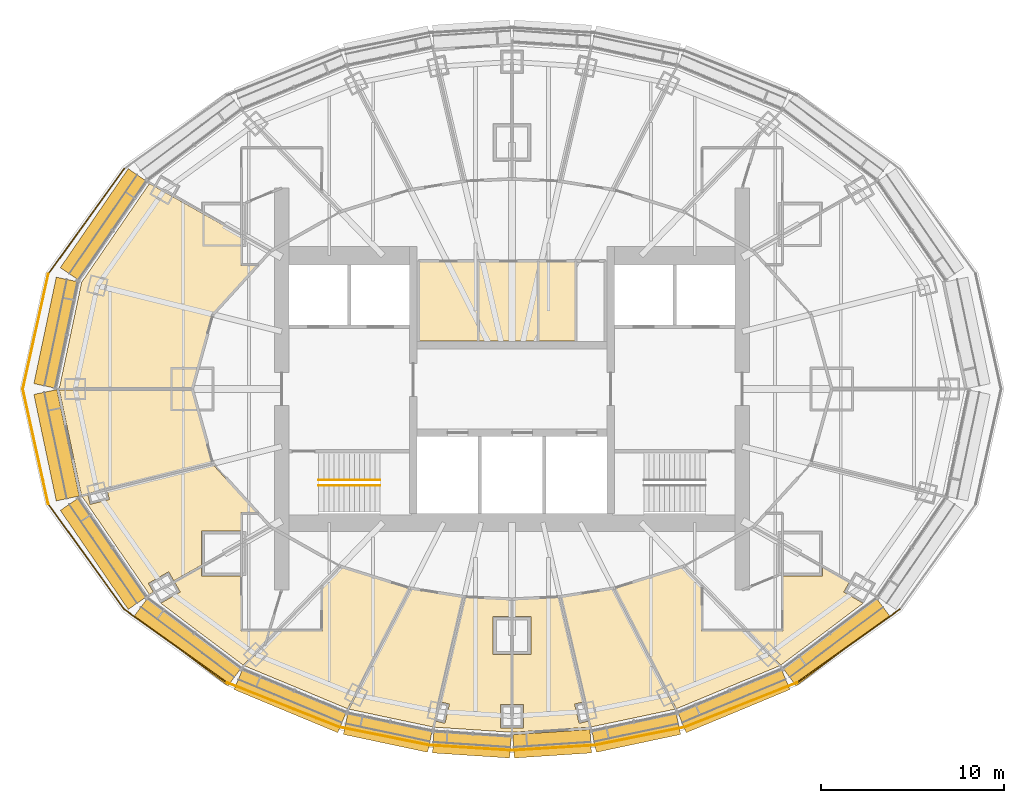
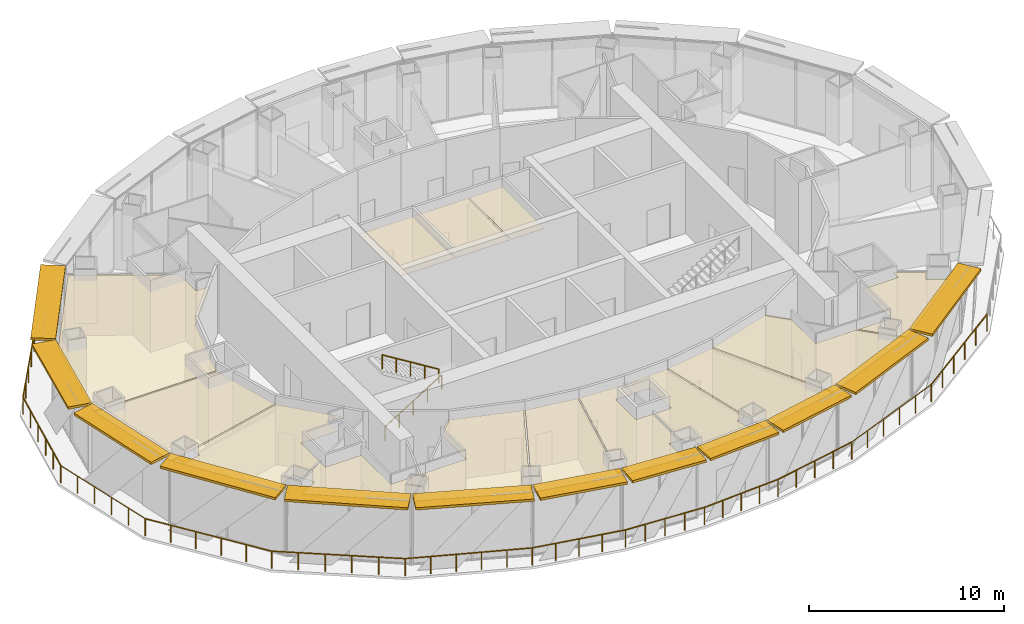
# One storey, part 16 of 17: 14 coverings, 14 railings, 12 shading devices.
"""IFC4 building model written with IfcOpenShell, lengths in metres."""

from ifc_helpers import new_model, si_unit, direction, frame, origin, origin_2d, place, context, subcontext, project, spatial, polyline, rectangle, circle, outline, extrude, material, layer, layer_set, type_object, element, save


model = new_model("IFC4")

# Units and contexts
model_context = context("Model", 3, precision=1e-05, world=origin(), true_north=direction((0.0, 1.0)))
body_context = subcontext(model_context, "Body", "Model", "MODEL_VIEW")
ifc_project = project(units=[si_unit("LENGTHUNIT", "METRE"), si_unit("AREAUNIT", "SQUARE_METRE"), si_unit("VOLUMEUNIT", "CUBIC_METRE"), si_unit("PLANEANGLEUNIT", "RADIAN"), si_unit("MASSUNIT", "GRAM", prefix="KILO")], contexts=[model_context])

# Site, building, storey
site_placement = place(None, origin())
site = spatial("IfcSite", under=ifc_project, at=site_placement, CompositionType="ELEMENT")
building_placement = place(site_placement, origin())
building = spatial("IfcBuilding", under=site, at=building_placement, Name="Lantaw Convention Tower", CompositionType="ELEMENT")
storey_placement = place(building_placement, frame((0.0, 0.0, 270.39990234375)))
storey = spatial("IfcBuildingStorey", under=building, at=storey_placement, Name="L63", CompositionType="ELEMENT", Elevation=270.39990234375)

# Railings
ifc_material_1 = material(Name="Stainless steel", Category="steel")
railing_type_1 = type_object("IfcRailingType", Name="Stair handrail", PredefinedType="HANDRAIL", material=ifc_material_1)
railing_1_placement = place(storey_placement, frame((-10.580078125, -5.280029296875, 0.173095703125)))
element("IfcRailing", 1, at=railing_1_placement, inside=storey, type_object=railing_type_1, Name="Stair handrail S1", PredefinedType="HANDRAIL", context=body_context, shape_type="SweptSolid", body=[
    extrude(circle(Radius=0.02392578125, at=origin_2d()), frame((0.0, 0.0, 0.8759765625), z_axis=(0.850623216509, 0.0, 0.525775754039), x_axis=(0.0, 1.0, 0.0)), (0.0, 0.0, 1.0), 3.9501953125),
    extrude(circle(Radius=0.02099609375, at=origin_2d()), origin(), (0.0, 0.0, 1.0), 0.851806640625),
    extrude(circle(Radius=0.02099609375, at=origin_2d()), frame((0.840087890625, 0.0, 0.519287109375)), (0.0, 0.0, 1.0), 0.851806640625),
    extrude(circle(Radius=0.02099609375, at=origin_2d()), frame((1.68017578125, 0.0, 1.03857421875)), (0.0, 0.0, 1.0), 0.851806640625),
    extrude(circle(Radius=0.02099609375, at=origin_2d()), frame((2.52001953125, 0.0, 1.5576171875)), (0.0, 0.0, 1.0), 0.851806640625),
    extrude(circle(Radius=0.02099609375, at=origin_2d()), frame((3.360107421875, 0.0, 2.076904296875)), (0.0, 0.0, 1.0), 0.851806640625),
])
railing_2_placement = place(storey_placement, frame((-7.219970703125, -4.97998046875, 2.423095703125)))
element("IfcRailing", 2, at=railing_2_placement, inside=storey, type_object=railing_type_1, Name="Stair handrail S1", PredefinedType="HANDRAIL", context=body_context, shape_type="SweptSolid", body=[
    extrude(circle(Radius=0.02392578125, at=origin_2d()), frame((0.0, 0.0, 0.8759765625), z_axis=(-0.850623216509, 0.0, 0.525775754039), x_axis=(0.0, -1.0, 0.0)), (0.0, 0.0, 1.0), 3.9501953125),
    extrude(circle(Radius=0.02099609375, at=origin_2d()), origin(), (0.0, 0.0, 1.0), 0.851806640625),
    extrude(circle(Radius=0.02099609375, at=origin_2d()), frame((-0.840087890625, 0.0, 0.519287109375)), (0.0, 0.0, 1.0), 0.851806640625),
    extrude(circle(Radius=0.02099609375, at=origin_2d()), frame((-1.68017578125, 0.0, 1.03857421875)), (0.0, 0.0, 1.0), 0.851806640625),
    extrude(circle(Radius=0.02099609375, at=origin_2d()), frame((-2.52001953125, 0.0, 1.5576171875)), (0.0, 0.0, 1.0), 0.851806640625),
    extrude(circle(Radius=0.02099609375, at=origin_2d()), frame((-3.360107421875, 0.0, 2.076904296875)), (0.0, 0.0, 1.0), 0.851806640625),
])

# Coverings
ifc_material_2 = material(Name="Gypsum board on steel suspension grid", Category="steel")
ifc_layer = layer(ifc_material_2, 0.02001953125)
ifc_layer_set = layer_set([ifc_layer], Name="Suspended ceiling")
covering_type = type_object("IfcCoveringType", Name="Suspended ceiling", PredefinedType="CEILING", material=ifc_layer_set)
covering_1_placement = place(storey_placement, frame((0.0, 0.0, 3.75)))
element("IfcCovering", 3, at=covering_1_placement, inside=storey, type_object=covering_type, Name="Male WC ceiling", PredefinedType="CEILING", context=body_context, shape_type="SweptSolid", body=[
    extrude(outline(polyline([(-5.080078125, 2.639892578125), (-1.88330078125, 2.639892578125), (-1.88330078125, 6.9599609375), (-5.080078125, 6.9599609375), (-5.080078125, 2.639892578125)])), origin(), (0.0, 0.0, 1.0), 0.02001953125),
])
covering_2_placement = place(storey_placement, frame((0.0, 0.0, 3.75)))
element("IfcCovering", 4, at=covering_2_placement, inside=storey, type_object=covering_type, Name="Female WC ceiling", PredefinedType="CEILING", context=body_context, shape_type="SweptSolid", body=[
    extrude(outline(polyline([(-1.80322265625, 2.639892578125), (1.3935546875, 2.639892578125), (1.3935546875, 6.9599609375), (-1.80322265625, 6.9599609375), (-1.80322265625, 2.639892578125)])), origin(), (0.0, 0.0, 1.0), 0.02001953125),
])
covering_3_placement = place(storey_placement, frame((0.0, 0.0, 3.75)))
element("IfcCovering", 5, at=covering_3_placement, inside=storey, type_object=covering_type, Name="Accessible WC ceiling", PredefinedType="CEILING", context=body_context, shape_type="SweptSolid", body=[
    extrude(outline(polyline([(1.4736328125, 2.639892578125), (3.441650390625, 2.639892578125), (3.441650390625, 6.9599609375), (1.4736328125, 6.9599609375), (1.4736328125, 2.639892578125)])), origin(), (0.0, 0.0, 1.0), 0.02001953125),
])
covering_4_placement = place(storey_placement, frame((0.0, 0.0, 3.75)))
element("IfcCovering", 6, at=covering_4_placement, inside=storey, type_object=covering_type, Name="Boardroom ceiling", PredefinedType="CEILING", context=body_context, shape_type="SweptSolid", body=[
    extrude(outline(polyline([(-16.39794921875, 4.099365234375), (-13.975341796875, 6.760009765625), (-14.840087890625, 6.760009765625), (-14.840087890625, 8.421875), (-19.841552734375, 11.24267578125), (-23.552734375, 5.83642578125), (-24.77197265625, 0.0400390625), (-17.5302734375, 0.0400390625), (-16.39794921875, 4.099365234375)])), origin(), (0.0, 0.0, 1.0), 0.02001953125),
])
covering_5_placement = place(storey_placement, frame((0.0, 0.0, 3.75)))
element("IfcCovering", 7, at=covering_5_placement, inside=storey, type_object=covering_type, Name="Executive office ceiling", PredefinedType="CEILING", context=body_context, shape_type="SweptSolid", body=[
    extrude(outline(polyline([(-17.5302734375, -0.0400390625), (-24.77197265625, -0.0400390625), (-23.5595703125, -5.8037109375), (-16.41162109375, -4.050537109375), (-17.5302734375, -0.0400390625)])), origin(), (0.0, 0.0, 1.0), 0.02001953125),
])
covering_6_placement = place(storey_placement, frame((0.0, 0.0, 3.75)))
element("IfcCovering", 8, at=covering_6_placement, inside=storey, type_object=covering_type, Name="Executive office ceiling", PredefinedType="CEILING", context=body_context, shape_type="SweptSolid", body=[
    extrude(outline(polyline([(-14.840087890625, -6.760009765625), (-13.975341796875, -6.760009765625), (-16.37548828125, -4.1240234375), (-22.158935546875, -5.54248046875), (-22.032470703125, -6.0498046875), (-23.080322265625, -6.31103515625), (-23.207763671875, -5.7998046875), (-23.524658203125, -5.87744140625), (-19.841552734375, -11.24267578125), (-19.623046875, -11.119384765625), (-19.900146484375, -10.63427734375), (-18.788818359375, -9.999267578125), (-18.508056640625, -10.490478515625), (-16.989990234375, -9.634521484375), (-16.989990234375, -7.760009765625), (-14.840087890625, -7.760009765625), (-14.840087890625, -6.760009765625)])), origin(), (0.0, 0.0, 1.0), 0.02001953125),
])
covering_7_placement = place(storey_placement, frame((0.0, 0.0, 3.75)))
element("IfcCovering", 9, at=covering_7_placement, inside=storey, type_object=covering_type, Name="Executive office ceiling", PredefinedType="CEILING", context=body_context, shape_type="SweptSolid", body=[
    extrude(outline(polyline([(-19.221435546875, -11.720703125), (-14.708251953125, -15.111083984375), (-12.880615234375, -13.239990234375), (-14.840087890625, -13.239990234375), (-14.840087890625, -10.239990234375), (-16.989990234375, -10.239990234375), (-16.989990234375, -9.726318359375), (-18.46826171875, -10.56005859375), (-18.153564453125, -11.110595703125), (-19.221435546875, -11.720703125)])), origin(), (0.0, 0.0, 1.0), 0.02001953125),
])
covering_8_placement = place(storey_placement, frame((0.0, 0.0, 3.75)))
element("IfcCovering", 10, at=covering_8_placement, inside=storey, type_object=covering_type, Name="Executive office ceiling", PredefinedType="CEILING", context=body_context, shape_type="SweptSolid", body=[
    extrude(outline(polyline([(-5.61376953125, -10.928955078125), (-9.365234375, -9.75537109375), (-10.360107421875, -10.77392578125), (-10.360107421875, -13.239990234375), (-12.768798828125, -13.239990234375), (-14.634521484375, -15.150146484375), (-8.994140625, -17.4990234375), (-5.61376953125, -10.928955078125)])), origin(), (0.0, 0.0, 1.0), 0.02001953125),
])
covering_9_placement = place(storey_placement, frame((0.0, 0.0, 3.75)))
element("IfcCovering", 11, at=covering_9_placement, inside=storey, type_object=covering_type, Name="Executive office ceiling", PredefinedType="CEILING", context=body_context, shape_type="SweptSolid", body=[
    extrude(outline(polyline([(-5.533935546875, -10.948974609375), (-8.916015625, -17.521728515625), (-4.326416015625, -18.4931640625), (-2.673583984375, -11.402587890625), (-5.533935546875, -10.948974609375)])), origin(), (0.0, 0.0, 1.0), 0.02001953125),
])
covering_10_placement = place(storey_placement, frame((0.0, 0.0, 3.75)))
element("IfcCovering", 12, at=covering_10_placement, inside=storey, type_object=covering_type, Name="Executive office ceiling", PredefinedType="CEILING", context=body_context, shape_type="SweptSolid", body=[
    extrude(outline(polyline([(-0.0400390625, -11.5380859375), (-2.593505859375, -11.411376953125), (-3.9248046875, -17.122314453125), (-3.42529296875, -17.237548828125), (-3.66845703125, -18.2900390625), (-4.169921875, -18.174072265625), (-4.246826171875, -18.50341796875), (-0.0400390625, -18.781982421875), (-0.0400390625, -18.5400390625), (-0.639892578125, -18.5400390625), (-0.639892578125, -17.260009765625), (-0.0400390625, -17.260009765625), (-0.0400390625, -14.5400390625), (-1.0400390625, -14.5400390625), (-1.0400390625, -12.4599609375), (-0.0400390625, -12.4599609375), (-0.0400390625, -11.5380859375)])), origin(), (0.0, 0.0, 1.0), 0.02001953125),
])
covering_11_placement = place(storey_placement, frame((0.0, 0.0, 3.75)))
element("IfcCovering", 13, at=covering_11_placement, inside=storey, type_object=covering_type, Name="Executive office ceiling", PredefinedType="CEILING", context=body_context, shape_type="SweptSolid", body=[
    extrude(outline(polyline([(2.593505859375, -11.411376953125), (0.0400390625, -11.5380859375), (0.0400390625, -12.4599609375), (1.0400390625, -12.4599609375), (1.0400390625, -14.5400390625), (0.0400390625, -14.5400390625), (0.0400390625, -17.260009765625), (0.639892578125, -17.260009765625), (0.639892578125, -18.5400390625), (0.0400390625, -18.5400390625), (0.0400390625, -18.781982421875), (4.246826171875, -18.50341796875), (4.169921875, -18.174072265625), (3.66845703125, -18.2900390625), (3.42529296875, -17.237548828125), (3.9248046875, -17.122314453125), (2.593505859375, -11.411376953125)])), origin(), (0.0, 0.0, 1.0), 0.02001953125),
])
covering_12_placement = place(storey_placement, frame((0.0, 0.0, 3.75)))
element("IfcCovering", 14, at=covering_12_placement, inside=storey, type_object=covering_type, Name="Executive office ceiling", PredefinedType="CEILING", context=body_context, shape_type="SweptSolid", body=[
    extrude(outline(polyline([(2.673583984375, -11.402587890625), (4.326416015625, -18.4931640625), (8.916015625, -17.521728515625), (5.533935546875, -10.948974609375), (2.673583984375, -11.402587890625)])), origin(), (0.0, 0.0, 1.0), 0.02001953125),
])
covering_13_placement = place(storey_placement, frame((0.0, 0.0, 3.75)))
element("IfcCovering", 15, at=covering_13_placement, inside=storey, type_object=covering_type, Name="Executive office ceiling", PredefinedType="CEILING", context=body_context, shape_type="SweptSolid", body=[
    extrude(outline(polyline([(9.365234375, -9.75537109375), (5.61376953125, -10.928955078125), (8.994140625, -17.4990234375), (14.634521484375, -15.150146484375), (12.768798828125, -13.239990234375), (10.360107421875, -13.239990234375), (10.360107421875, -10.77392578125), (9.365234375, -9.75537109375)])), origin(), (0.0, 0.0, 1.0), 0.02001953125),
])
covering_14_placement = place(storey_placement, frame((0.0, 0.0, 3.75)))
element("IfcCovering", 16, at=covering_14_placement, inside=storey, type_object=covering_type, Name="Pantry ceiling", PredefinedType="CEILING", context=body_context, shape_type="SweptSolid", body=[
    extrude(outline(polyline([(14.708251953125, -15.111083984375), (19.221435546875, -11.720703125), (18.153564453125, -11.110595703125), (18.46826171875, -10.56005859375), (16.989990234375, -9.726318359375), (16.989990234375, -10.239990234375), (14.840087890625, -10.239990234375), (14.840087890625, -13.239990234375), (12.880615234375, -13.239990234375), (14.708251953125, -15.111083984375)])), origin(), (0.0, 0.0, 1.0), 0.02001953125),
])

# Railings
ifc_material_3 = material(Name="Stainless steel posts and laminated glass, pale silver finish", Category="steel")
railing_type_2 = type_object("IfcRailingType", Name="Terrace guard railing 1100", PredefinedType="GUARDRAIL", material=ifc_material_3)
railing_3_placement = place(storey_placement, frame((-21.21728515625, 12.054443359375, 0.0)))
element("IfcRailing", 17, at=railing_3_placement, inside=storey, type_object=railing_type_2, Name="Terrace guard", PredefinedType="GUARDRAIL", context=body_context, shape_type="SweptSolid", body=[
    extrude(circle(Radius=0.02392578125, at=origin_2d()), frame((0.0, 0.0, 1.076171875), z_axis=(-0.585153411034, -0.81092261379, 0.0), x_axis=(0.81092261379, -0.585153411034, 0.0)), (0.0, 0.0, 1.0), 7.11328125),
    extrude(circle(Radius=0.02099609375, at=origin_2d()), origin(), (0.0, 0.0, 1.0), 1.052001953125),
    extrude(circle(Radius=0.02099609375, at=origin_2d()), frame((-0.83251953125, -1.153564453125, 0.0)), (0.0, 0.0, 1.0), 1.052001953125),
    extrude(circle(Radius=0.02099609375, at=origin_2d()), frame((-1.6650390625, -2.307373046875, 0.0)), (0.0, 0.0, 1.0), 1.052001953125),
    extrude(circle(Radius=0.02099609375, at=origin_2d()), frame((-2.497314453125, -3.4609375, 0.0)), (0.0, 0.0, 1.0), 1.052001953125),
    extrude(circle(Radius=0.02099609375, at=origin_2d()), frame((-3.329833984375, -4.61474609375, 0.0)), (0.0, 0.0, 1.0), 1.052001953125),
    extrude(circle(Radius=0.02099609375, at=origin_2d()), frame((-4.162353515625, -5.768310546875, 0.0)), (0.0, 0.0, 1.0), 1.052001953125),
])
railing_4_placement = place(storey_placement, frame((-25.379638671875, 6.2861328125, 0.0)))
element("IfcRailing", 18, at=railing_4_placement, inside=storey, type_object=railing_type_2, Name="Terrace guard", PredefinedType="GUARDRAIL", context=body_context, shape_type="SweptSolid", body=[
    extrude(circle(Radius=0.02392578125, at=origin_2d()), frame((0.0, 0.0, 1.076171875), z_axis=(-0.215890377558, -0.976417607829, 0.0), x_axis=(0.976417607829, -0.215890377558, 0.0)), (0.0, 0.0, 1.0), 6.43798828125),
    extrude(circle(Radius=0.02099609375, at=origin_2d()), origin(), (0.0, 0.0, 1.0), 1.052001953125),
    extrude(circle(Radius=0.02099609375, at=origin_2d()), frame((-0.278076171875, -1.25732421875, 0.0)), (0.0, 0.0, 1.0), 1.052001953125),
    extrude(circle(Radius=0.02099609375, at=origin_2d()), frame((-0.555908203125, -2.514404296875, 0.0)), (0.0, 0.0, 1.0), 1.052001953125),
    extrude(circle(Radius=0.02099609375, at=origin_2d()), frame((-0.833984375, -3.771728515625, 0.0)), (0.0, 0.0, 1.0), 1.052001953125),
    extrude(circle(Radius=0.02099609375, at=origin_2d()), frame((-1.11181640625, -5.02880859375, 0.0)), (0.0, 0.0, 1.0), 1.052001953125),
    extrude(circle(Radius=0.02099609375, at=origin_2d()), frame((-1.389892578125, -6.2861328125, 0.0)), (0.0, 0.0, 1.0), 1.052001953125),
])
railing_5_placement = place(storey_placement, frame((-26.76953125, 0.0, 0.0)))
element("IfcRailing", 19, at=railing_5_placement, inside=storey, type_object=railing_type_2, Name="Terrace guard", PredefinedType="GUARDRAIL", context=body_context, shape_type="SweptSolid", body=[
    extrude(circle(Radius=0.02392578125, at=origin_2d()), frame((0.0, 0.0, 1.076171875), z_axis=(0.215890377558, -0.976417607829, 0.0), x_axis=(0.976417607829, 0.215890377558, 0.0)), (0.0, 0.0, 1.0), 6.43798828125),
    extrude(circle(Radius=0.02099609375, at=origin_2d()), origin(), (0.0, 0.0, 1.0), 1.052001953125),
    extrude(circle(Radius=0.02099609375, at=origin_2d()), frame((0.278076171875, -1.25732421875, 0.0)), (0.0, 0.0, 1.0), 1.052001953125),
    extrude(circle(Radius=0.02099609375, at=origin_2d()), frame((0.555908203125, -2.514404296875, 0.0)), (0.0, 0.0, 1.0), 1.052001953125),
    extrude(circle(Radius=0.02099609375, at=origin_2d()), frame((0.833984375, -3.771728515625, 0.0)), (0.0, 0.0, 1.0), 1.052001953125),
    extrude(circle(Radius=0.02099609375, at=origin_2d()), frame((1.11181640625, -5.02880859375, 0.0)), (0.0, 0.0, 1.0), 1.052001953125),
    extrude(circle(Radius=0.02099609375, at=origin_2d()), frame((1.389892578125, -6.2861328125, 0.0)), (0.0, 0.0, 1.0), 1.052001953125),
])
railing_6_placement = place(storey_placement, frame((-25.379638671875, -6.2861328125, 0.0)))
element("IfcRailing", 20, at=railing_6_placement, inside=storey, type_object=railing_type_2, Name="Terrace guard", PredefinedType="GUARDRAIL", context=body_context, shape_type="SweptSolid", body=[
    extrude(circle(Radius=0.02392578125, at=origin_2d()), frame((0.0, 0.0, 1.076171875), z_axis=(0.585153411034, -0.81092261379, 0.0), x_axis=(0.81092261379, 0.585153411034, 0.0)), (0.0, 0.0, 1.0), 7.11328125),
    extrude(circle(Radius=0.02099609375, at=origin_2d()), origin(), (0.0, 0.0, 1.0), 1.052001953125),
    extrude(circle(Radius=0.02099609375, at=origin_2d()), frame((0.83251953125, -1.153564453125, 0.0)), (0.0, 0.0, 1.0), 1.052001953125),
    extrude(circle(Radius=0.02099609375, at=origin_2d()), frame((1.6650390625, -2.307373046875, 0.0)), (0.0, 0.0, 1.0), 1.052001953125),
    extrude(circle(Radius=0.02099609375, at=origin_2d()), frame((2.497314453125, -3.4609375, 0.0)), (0.0, 0.0, 1.0), 1.052001953125),
    extrude(circle(Radius=0.02099609375, at=origin_2d()), frame((3.329833984375, -4.61474609375, 0.0)), (0.0, 0.0, 1.0), 1.052001953125),
    extrude(circle(Radius=0.02099609375, at=origin_2d()), frame((4.162353515625, -5.768310546875, 0.0)), (0.0, 0.0, 1.0), 1.052001953125),
])
railing_7_placement = place(storey_placement, frame((-21.21728515625, -12.054443359375, 0.0)))
element("IfcRailing", 21, at=railing_7_placement, inside=storey, type_object=railing_type_2, Name="Terrace guard", PredefinedType="GUARDRAIL", context=body_context, shape_type="SweptSolid", body=[
    extrude(circle(Radius=0.02392578125, at=origin_2d()), frame((0.0, 0.0, 1.076171875), z_axis=(0.813671339358, -0.581325168479, 0.0), x_axis=(0.581325168479, 0.813671339358, 0.0)), (0.0, 0.0, 1.0), 6.903564453125),
    extrude(circle(Radius=0.02099609375, at=origin_2d()), origin(), (0.0, 0.0, 1.0), 1.052001953125),
    extrude(circle(Radius=0.02099609375, at=origin_2d()), frame((1.12353515625, -0.802734375, 0.0)), (0.0, 0.0, 1.0), 1.052001953125),
    extrude(circle(Radius=0.02099609375, at=origin_2d()), frame((2.246826171875, -1.605224609375, 0.0)), (0.0, 0.0, 1.0), 1.052001953125),
    extrude(circle(Radius=0.02099609375, at=origin_2d()), frame((3.370361328125, -2.407958984375, 0.0)), (0.0, 0.0, 1.0), 1.052001953125),
    extrude(circle(Radius=0.02099609375, at=origin_2d()), frame((4.49365234375, -3.21044921875, 0.0)), (0.0, 0.0, 1.0), 1.052001953125),
    extrude(circle(Radius=0.02099609375, at=origin_2d()), frame((5.6171875, -4.01318359375, 0.0)), (0.0, 0.0, 1.0), 1.052001953125),
])
railing_8_placement = place(storey_placement, frame((-15.60009765625, -16.067626953125, 0.0)))
element("IfcRailing", 22, at=railing_8_placement, inside=storey, type_object=railing_type_2, Name="Terrace guard", PredefinedType="GUARDRAIL", context=body_context, shape_type="SweptSolid", body=[
    extrude(circle(Radius=0.02392578125, at=origin_2d()), frame((0.0, 0.0, 1.076171875), z_axis=(0.929755653115, -0.368177165914, 0.0), x_axis=(0.368177165914, 0.929755653115, 0.0)), (0.0, 0.0, 1.0), 6.59326171875),
    extrude(circle(Radius=0.02099609375, at=origin_2d()), origin(), (0.0, 0.0, 1.0), 1.052001953125),
    extrude(circle(Radius=0.02099609375, at=origin_2d()), frame((1.22607421875, -0.485595703125, 0.0)), (0.0, 0.0, 1.0), 1.052001953125),
    extrude(circle(Radius=0.02099609375, at=origin_2d()), frame((2.4521484375, -0.970947265625, 0.0)), (0.0, 0.0, 1.0), 1.052001953125),
    extrude(circle(Radius=0.02099609375, at=origin_2d()), frame((3.677978515625, -1.45654296875, 0.0)), (0.0, 0.0, 1.0), 1.052001953125),
    extrude(circle(Radius=0.02099609375, at=origin_2d()), frame((4.904052734375, -1.94189453125, 0.0)), (0.0, 0.0, 1.0), 1.052001953125),
    extrude(circle(Radius=0.02099609375, at=origin_2d()), frame((6.130126953125, -2.427490234375, 0.0)), (0.0, 0.0, 1.0), 1.052001953125),
])
railing_9_placement = place(storey_placement, frame((-9.469970703125, -18.4951171875, 0.0)))
element("IfcRailing", 23, at=railing_9_placement, inside=storey, type_object=railing_type_2, Name="Terrace guard", PredefinedType="GUARDRAIL", context=body_context, shape_type="SweptSolid", body=[
    extrude(circle(Radius=0.02392578125, at=origin_2d()), frame((0.0, 0.0, 1.076171875), z_axis=(0.980369876989, -0.197167198826, 0.0), x_axis=(0.197167198826, 0.980369876989, 0.0)), (0.0, 0.0, 1.0), 5.047119140625),
    extrude(circle(Radius=0.02099609375, at=origin_2d()), origin(), (0.0, 0.0, 1.0), 1.052001953125),
    extrude(circle(Radius=0.02099609375, at=origin_2d()), frame((1.237060546875, -0.248779296875, 0.0)), (0.0, 0.0, 1.0), 1.052001953125),
    extrude(circle(Radius=0.02099609375, at=origin_2d()), frame((2.47412109375, -0.49755859375, 0.0)), (0.0, 0.0, 1.0), 1.052001953125),
    extrude(circle(Radius=0.02099609375, at=origin_2d()), frame((3.7109375, -0.746337890625, 0.0)), (0.0, 0.0, 1.0), 1.052001953125),
    extrude(circle(Radius=0.02099609375, at=origin_2d()), frame((4.947998046875, -0.9951171875, 0.0)), (0.0, 0.0, 1.0), 1.052001953125),
])
railing_10_placement = place(storey_placement, frame((-4.52197265625, -19.490234375, 0.0)))
element("IfcRailing", 24, at=railing_10_placement, inside=storey, type_object=railing_type_2, Name="Terrace guard", PredefinedType="GUARDRAIL", context=body_context, shape_type="SweptSolid", body=[
    extrude(circle(Radius=0.02392578125, at=origin_2d()), frame((0.0, 0.0, 1.076171875), z_axis=(0.99802775976, -0.062774124831, 0.0), x_axis=(0.062774124831, 0.99802775976, 0.0)), (0.0, 0.0, 1.0), 4.531005859375),
    extrude(circle(Radius=0.02099609375, at=origin_2d()), origin(), (0.0, 0.0, 1.0), 1.052001953125),
    extrude(circle(Radius=0.02099609375, at=origin_2d()), frame((1.13037109375, -0.071044921875, 0.0)), (0.0, 0.0, 1.0), 1.052001953125),
    extrude(circle(Radius=0.02099609375, at=origin_2d()), frame((2.260986328125, -0.14208984375, 0.0)), (0.0, 0.0, 1.0), 1.052001953125),
    extrude(circle(Radius=0.02099609375, at=origin_2d()), frame((3.3916015625, -0.21337890625, 0.0)), (0.0, 0.0, 1.0), 1.052001953125),
    extrude(circle(Radius=0.02099609375, at=origin_2d()), frame((4.52197265625, -0.284423828125, 0.0)), (0.0, 0.0, 1.0), 1.052001953125),
])
railing_11_placement = place(storey_placement, frame((0.0, -19.774658203125, 0.0)))
element("IfcRailing", 25, at=railing_11_placement, inside=storey, type_object=railing_type_2, Name="Terrace guard", PredefinedType="GUARDRAIL", context=body_context, shape_type="SweptSolid", body=[
    extrude(circle(Radius=0.02392578125, at=origin_2d()), frame((0.0, 0.0, 1.076171875), z_axis=(0.99802775976, 0.062774124831, 0.0), x_axis=(-0.062774124831, 0.99802775976, 0.0)), (0.0, 0.0, 1.0), 4.531005859375),
    extrude(circle(Radius=0.02099609375, at=origin_2d()), origin(), (0.0, 0.0, 1.0), 1.052001953125),
    extrude(circle(Radius=0.02099609375, at=origin_2d()), frame((1.13037109375, 0.071044921875, 0.0)), (0.0, 0.0, 1.0), 1.052001953125),
    extrude(circle(Radius=0.02099609375, at=origin_2d()), frame((2.260986328125, 0.14208984375, 0.0)), (0.0, 0.0, 1.0), 1.052001953125),
    extrude(circle(Radius=0.02099609375, at=origin_2d()), frame((3.3916015625, 0.21337890625, 0.0)), (0.0, 0.0, 1.0), 1.052001953125),
    extrude(circle(Radius=0.02099609375, at=origin_2d()), frame((4.52197265625, 0.284423828125, 0.0)), (0.0, 0.0, 1.0), 1.052001953125),
])
railing_12_placement = place(storey_placement, frame((4.52197265625, -19.490234375, 0.0)))
element("IfcRailing", 26, at=railing_12_placement, inside=storey, type_object=railing_type_2, Name="Terrace guard", PredefinedType="GUARDRAIL", context=body_context, shape_type="SweptSolid", body=[
    extrude(circle(Radius=0.02392578125, at=origin_2d()), frame((0.0, 0.0, 1.076171875), z_axis=(0.980369876989, 0.197167198826, 0.0), x_axis=(-0.197167198826, 0.980369876989, 0.0)), (0.0, 0.0, 1.0), 5.047119140625),
    extrude(circle(Radius=0.02099609375, at=origin_2d()), origin(), (0.0, 0.0, 1.0), 1.052001953125),
    extrude(circle(Radius=0.02099609375, at=origin_2d()), frame((1.237060546875, 0.248779296875, 0.0)), (0.0, 0.0, 1.0), 1.052001953125),
    extrude(circle(Radius=0.02099609375, at=origin_2d()), frame((2.47412109375, 0.49755859375, 0.0)), (0.0, 0.0, 1.0), 1.052001953125),
    extrude(circle(Radius=0.02099609375, at=origin_2d()), frame((3.7109375, 0.746337890625, 0.0)), (0.0, 0.0, 1.0), 1.052001953125),
    extrude(circle(Radius=0.02099609375, at=origin_2d()), frame((4.947998046875, 0.9951171875, 0.0)), (0.0, 0.0, 1.0), 1.052001953125),
])
railing_13_placement = place(storey_placement, frame((9.469970703125, -18.4951171875, 0.0)))
element("IfcRailing", 27, at=railing_13_placement, inside=storey, type_object=railing_type_2, Name="Terrace guard", PredefinedType="GUARDRAIL", context=body_context, shape_type="SweptSolid", body=[
    extrude(circle(Radius=0.02392578125, at=origin_2d()), frame((0.0, 0.0, 1.076171875), z_axis=(0.929755653115, 0.368177165914, 0.0), x_axis=(-0.368177165914, 0.929755653115, 0.0)), (0.0, 0.0, 1.0), 6.59326171875),
    extrude(circle(Radius=0.02099609375, at=origin_2d()), origin(), (0.0, 0.0, 1.0), 1.052001953125),
    extrude(circle(Radius=0.02099609375, at=origin_2d()), frame((1.22607421875, 0.485595703125, 0.0)), (0.0, 0.0, 1.0), 1.052001953125),
    extrude(circle(Radius=0.02099609375, at=origin_2d()), frame((2.4521484375, 0.970947265625, 0.0)), (0.0, 0.0, 1.0), 1.052001953125),
    extrude(circle(Radius=0.02099609375, at=origin_2d()), frame((3.677978515625, 1.45654296875, 0.0)), (0.0, 0.0, 1.0), 1.052001953125),
    extrude(circle(Radius=0.02099609375, at=origin_2d()), frame((4.904052734375, 1.94189453125, 0.0)), (0.0, 0.0, 1.0), 1.052001953125),
    extrude(circle(Radius=0.02099609375, at=origin_2d()), frame((6.130126953125, 2.427490234375, 0.0)), (0.0, 0.0, 1.0), 1.052001953125),
])
railing_14_placement = place(storey_placement, frame((15.60009765625, -16.067626953125, 0.0)))
element("IfcRailing", 28, at=railing_14_placement, inside=storey, type_object=railing_type_2, Name="Terrace guard", PredefinedType="GUARDRAIL", context=body_context, shape_type="SweptSolid", body=[
    extrude(circle(Radius=0.02392578125, at=origin_2d()), frame((0.0, 0.0, 1.076171875), z_axis=(0.813671339358, 0.581325168479, 0.0), x_axis=(-0.581325168479, 0.813671339358, 0.0)), (0.0, 0.0, 1.0), 6.903564453125),
    extrude(circle(Radius=0.02099609375, at=origin_2d()), origin(), (0.0, 0.0, 1.0), 1.052001953125),
    extrude(circle(Radius=0.02099609375, at=origin_2d()), frame((1.12353515625, 0.802734375, 0.0)), (0.0, 0.0, 1.0), 1.052001953125),
    extrude(circle(Radius=0.02099609375, at=origin_2d()), frame((2.246826171875, 1.605224609375, 0.0)), (0.0, 0.0, 1.0), 1.052001953125),
    extrude(circle(Radius=0.02099609375, at=origin_2d()), frame((3.370361328125, 2.407958984375, 0.0)), (0.0, 0.0, 1.0), 1.052001953125),
    extrude(circle(Radius=0.02099609375, at=origin_2d()), frame((4.49365234375, 3.21044921875, 0.0)), (0.0, 0.0, 1.0), 1.052001953125),
    extrude(circle(Radius=0.02099609375, at=origin_2d()), frame((5.6171875, 4.01318359375, 0.0)), (0.0, 0.0, 1.0), 1.052001953125),
])

# Shading devices
shading_device_1_placement = place(storey_placement, frame((-22.327880859375, 8.98583984375, 4.205078125), z_axis=(0.0, 0.0, 1.0), x_axis=(-0.565934832921, -0.824449977189, 0.0)))
element("IfcShadingDevice", 29, at=shading_device_1_placement, inside=storey, Name="SUNSHADE blade", ObjectType="SUNSHADE", PredefinedType="USERDEFINED", context=body_context, shape_type="SweptSolid", body=[
    extrude(rectangle(XDim=6.56591796875, YDim=1.284912109375, at=origin_2d()), origin(), (0.0, 0.0, 1.0), 0.14990234375),
])
for number, where, z_axis, x_axis, name in (
    (30, (-24.9228515625, 3.076171875, 4.205078125), (0.0, 0.0, 1.0), (-0.205814054946, -0.978591117263, 0.0), "SUNSHADE blade"),
    (31, (-24.9228515625, -3.076171875, 4.205078125), (0.0, 0.0, 1.0), (0.205814054946, -0.978591117263, 0.0), "SUNSHADE blade"),
):
    element("IfcShadingDevice", number, at=place(storey_placement, frame(where, z_axis=z_axis, x_axis=x_axis)), inside=storey, Name=name, ObjectType="SUNSHADE", PredefinedType="USERDEFINED", context=body_context, shape_type="SweptSolid", body=[
        extrude(rectangle(XDim=5.9521484375, YDim=1.284912109375, at=origin_2d()), origin(), (0.0, 0.0, 1.0), 0.14990234375),
    ])
shading_device_2_placement = place(storey_placement, frame((-22.327880859375, -8.98583984375, 4.205078125), z_axis=(0.0, 0.0, 1.0), x_axis=(0.565934832921, -0.824449977189, 0.0)))
element("IfcShadingDevice", 32, at=shading_device_2_placement, inside=storey, Name="SUNSHADE blade", ObjectType="SUNSHADE", PredefinedType="USERDEFINED", context=body_context, shape_type="SweptSolid", body=[
    extrude(rectangle(XDim=6.56591796875, YDim=1.284912109375, at=origin_2d()), origin(), (0.0, 0.0, 1.0), 0.14990234375),
])
shading_device_3_placement = place(storey_placement, frame((-17.7216796875, -13.8134765625, 4.205078125), z_axis=(0.0, 0.0, 1.0), x_axis=(0.799517528732, -0.600642756762, 0.0)))
element("IfcShadingDevice", 33, at=shading_device_3_placement, inside=storey, Name="SUNSHADE blade", ObjectType="SUNSHADE", PredefinedType="USERDEFINED", context=body_context, shape_type="SweptSolid", body=[
    extrude(rectangle(XDim=6.3916015625, YDim=1.284912109375, at=origin_2d()), origin(), (0.0, 0.0, 1.0), 0.14990234375),
])
shading_device_4_placement = place(storey_placement, frame((-12.1240234375, -17.0322265625, 4.205078125), z_axis=(0.0, 0.0, 1.0), x_axis=(0.923141777124, -0.384459697924, 0.0)))
element("IfcShadingDevice", 34, at=shading_device_4_placement, inside=storey, Name="SUNSHADE blade", ObjectType="SUNSHADE", PredefinedType="USERDEFINED", context=body_context, shape_type="SweptSolid", body=[
    extrude(rectangle(XDim=6.14404296875, YDim=1.284912109375, at=origin_2d()), origin(), (0.0, 0.0, 1.0), 0.14990234375),
])
shading_device_5_placement = place(storey_placement, frame((-6.78955078125, -18.761474609375, 4.205078125), z_axis=(0.0, 0.0, 1.0), x_axis=(0.978332497083, -0.207039911975, 0.0)))
element("IfcShadingDevice", 35, at=shading_device_5_placement, inside=storey, Name="SUNSHADE blade", ObjectType="SUNSHADE", PredefinedType="USERDEFINED", context=body_context, shape_type="SweptSolid", body=[
    extrude(rectangle(XDim=4.71142578125, YDim=1.284912109375, at=origin_2d()), origin(), (0.0, 0.0, 1.0), 0.14990234375),
])
for number, where, z_axis, x_axis, name in (
    (36, (-2.197021484375, -19.413330078125, 4.205078125), (0.0, 0.0, 1.0), (0.997817975525, -0.066024902273, 0.0), "SUNSHADE blade"),
    (37, (2.197021484375, -19.413330078125, 4.205078125), (0.0, 0.0, 1.0), (0.997817975525, 0.066024902273, 0.0), "SUNSHADE blade"),
):
    element("IfcShadingDevice", number, at=place(storey_placement, frame(where, z_axis=z_axis, x_axis=x_axis)), inside=storey, Name=name, ObjectType="SUNSHADE", PredefinedType="USERDEFINED", context=body_context, shape_type="SweptSolid", body=[
        extrude(rectangle(XDim=4.22998046875, YDim=1.284912109375, at=origin_2d()), origin(), (0.0, 0.0, 1.0), 0.14990234375),
    ])
shading_device_6_placement = place(storey_placement, frame((6.78955078125, -18.761474609375, 4.205078125), z_axis=(0.0, 0.0, 1.0), x_axis=(0.978332497083, 0.207039911975, 0.0)))
element("IfcShadingDevice", 38, at=shading_device_6_placement, inside=storey, Name="SUNSHADE blade", ObjectType="SUNSHADE", PredefinedType="USERDEFINED", context=body_context, shape_type="SweptSolid", body=[
    extrude(rectangle(XDim=4.71142578125, YDim=1.284912109375, at=origin_2d()), origin(), (0.0, 0.0, 1.0), 0.14990234375),
])
shading_device_7_placement = place(storey_placement, frame((12.1240234375, -17.0322265625, 4.205078125), z_axis=(0.0, 0.0, 1.0), x_axis=(0.923141777124, 0.384459697924, 0.0)))
element("IfcShadingDevice", 39, at=shading_device_7_placement, inside=storey, Name="SUNSHADE blade", ObjectType="SUNSHADE", PredefinedType="USERDEFINED", context=body_context, shape_type="SweptSolid", body=[
    extrude(rectangle(XDim=6.14404296875, YDim=1.284912109375, at=origin_2d()), origin(), (0.0, 0.0, 1.0), 0.14990234375),
])
shading_device_8_placement = place(storey_placement, frame((17.7216796875, -13.8134765625, 4.205078125), z_axis=(0.0, 0.0, 1.0), x_axis=(0.799517528732, 0.600642756762, 0.0)))
element("IfcShadingDevice", 40, at=shading_device_8_placement, inside=storey, Name="SUNSHADE blade", ObjectType="SUNSHADE", PredefinedType="USERDEFINED", context=body_context, shape_type="SweptSolid", body=[
    extrude(rectangle(XDim=6.3916015625, YDim=1.284912109375, at=origin_2d()), origin(), (0.0, 0.0, 1.0), 0.14990234375),
])

save(model, "model.ifc")
